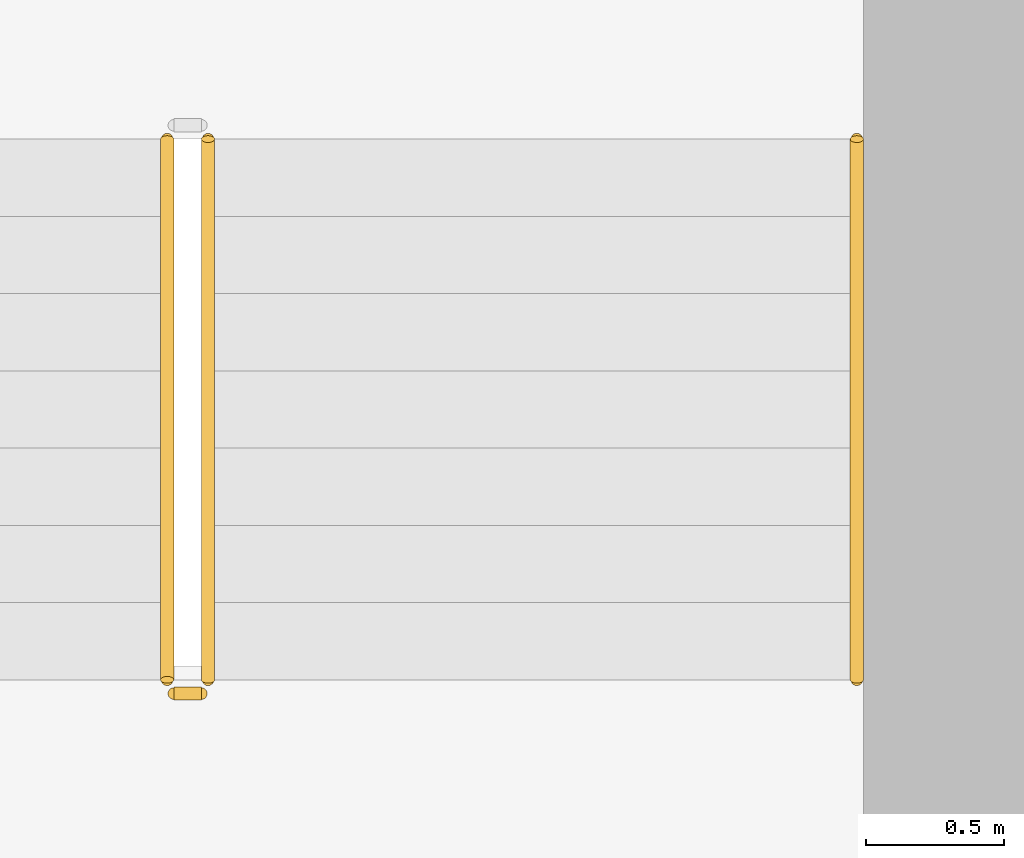
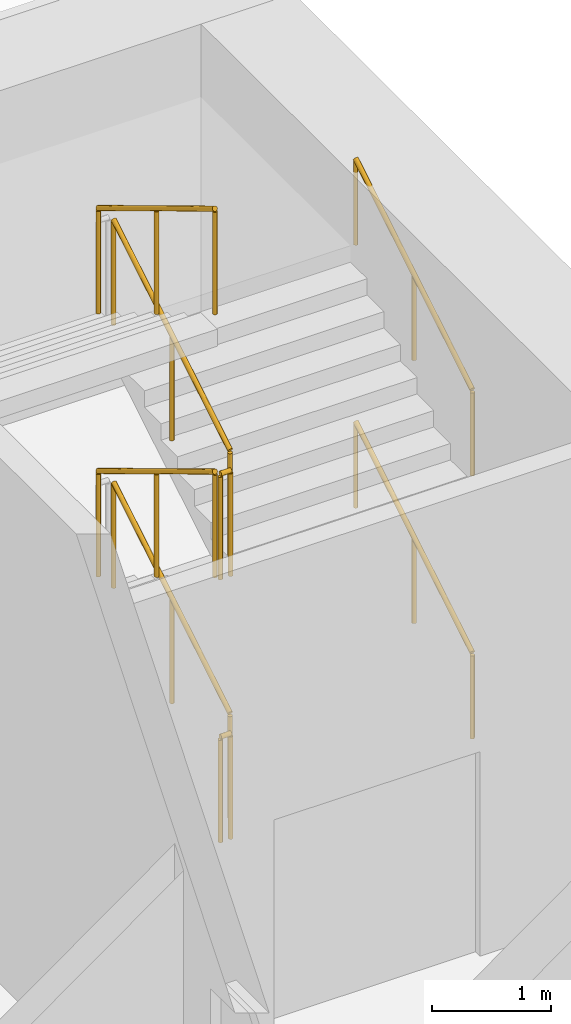
# One storey, part 97 of 101: 8 railings.
"""IFC4 building model written with IfcOpenShell, lengths in metres."""

from ifc_helpers import new_model, si_unit, direction, frame, origin, origin_2d, place, context, subcontext, project, spatial, circle, extrude, material, type_object, element, save


model = new_model("IFC4")

# Units and contexts
model_context = context("Model", 3, precision=1e-05, world=origin(), true_north=direction((0.0, 1.0)))
body_context = subcontext(model_context, "Body", "Model", "MODEL_VIEW")
ifc_project = project(units=[si_unit("LENGTHUNIT", "METRE"), si_unit("AREAUNIT", "SQUARE_METRE"), si_unit("VOLUMEUNIT", "CUBIC_METRE"), si_unit("PLANEANGLEUNIT", "RADIAN"), si_unit("MASSUNIT", "GRAM", prefix="KILO")], contexts=[model_context])

# Site, building, storey
site_placement = place(None, origin())
site = spatial("IfcSite", under=ifc_project, at=site_placement, CompositionType="ELEMENT")
building_placement = place(site_placement, origin())
building = spatial("IfcBuilding", under=site, at=building_placement, Name="Magnolia Steps Interchange", CompositionType="ELEMENT")
storey_placement = place(building_placement, frame((0.0, 0.0, -5.39990234375)))
storey = spatial("IfcBuildingStorey", under=building, at=storey_placement, Name="B1", CompositionType="ELEMENT", Elevation=-5.39990234375)

# Railings
ifc_material_1 = material(Name="Stainless steel grade 304", Category="steel")
railing_type_1 = type_object("IfcRailingType", Name="Stair guard 1100", PredefinedType="GUARDRAIL", material=ifc_material_1)
railing_1_placement = place(storey_placement, frame((180.049072265625, 69.875, 0.168701171875)))
element("IfcRailing", 1, at=railing_1_placement, inside=storey, type_object=railing_type_1, Name="B1 ST16 stair guard 1", PredefinedType="GUARDRAIL", context=body_context, shape_type="SweptSolid", body=[
    extrude(circle(Radius=0.02392578125, at=origin_2d()), frame((0.0, 0.0, 1.076171875), z_axis=(0.0, 0.856493463811, 0.516157869696), x_axis=(-1.0, 0.0, 0.0)), (0.0, 0.0, 1.0), 2.288330078125),
    extrude(circle(Radius=0.02099609375, at=origin_2d()), origin(), (0.0, 0.0, 1.0), 1.052001953125),
    extrude(circle(Radius=0.02099609375, at=origin_2d()), frame((0.0, 0.97998046875, 0.590576171875)), (0.0, 0.0, 1.0), 1.052001953125),
    extrude(circle(Radius=0.02099609375, at=origin_2d()), frame((0.0, 1.9599609375, 1.18115234375)), (0.0, 0.0, 1.0), 1.052001953125),
])
railing_2_placement = place(storey_placement, frame((179.90087890625, 71.8349609375, 1.5185546875)))
element("IfcRailing", 2, at=railing_2_placement, inside=storey, type_object=railing_type_1, Name="B1 ST16 stair guard 3", PredefinedType="GUARDRAIL", context=body_context, shape_type="SweptSolid", body=[
    extrude(circle(Radius=0.02392578125, at=origin_2d()), frame((0.0, 0.0, 1.076171875), z_axis=(0.0, -0.856446297458, 0.516236127728), x_axis=(1.0, 0.0, 0.0)), (0.0, 0.0, 1.0), 2.28857421875),
    extrude(circle(Radius=0.02099609375, at=origin_2d()), origin(), (0.0, 0.0, 1.0), 1.052001953125),
    extrude(circle(Radius=0.02099609375, at=origin_2d()), frame((0.0, -0.97998046875, 0.5908203125)), (0.0, 0.0, 1.0), 1.052001953125),
    extrude(circle(Radius=0.02099609375, at=origin_2d()), frame((0.0, -1.9599609375, 1.181396484375)), (0.0, 0.0, 1.0), 1.052001953125),
])
railing_3_placement = place(storey_placement, frame((180.02490234375, 69.824951171875, 2.699951171875)))
element("IfcRailing", 3, at=railing_3_placement, inside=storey, type_object=railing_type_1, Name="B1 ST16 stair guard 4", PredefinedType="GUARDRAIL", context=body_context, shape_type="SweptSolid", body=[
    extrude(circle(Radius=0.02392578125, at=origin_2d()), frame((0.0, 0.0, 1.076171875), z_axis=(-1.0, 0.0, 0.0), x_axis=(0.0, -1.0, 0.0)), (0.0, 0.0, 1.0), 0.099853515625),
    extrude(circle(Radius=0.02099609375, at=origin_2d()), origin(), (0.0, 0.0, 1.0), 1.052001953125),
    extrude(circle(Radius=0.02099609375, at=origin_2d()), frame((-0.099853515625, 0.0, 0.0)), (0.0, 0.0, 1.0), 1.052001953125),
])
railing_4_placement = place(storey_placement, frame((180.049072265625, 69.875, 2.86865234375)))
element("IfcRailing", 4, at=railing_4_placement, inside=storey, type_object=railing_type_1, Name="B1 ST16 stair guard 5", PredefinedType="GUARDRAIL", context=body_context, shape_type="SweptSolid", body=[
    extrude(circle(Radius=0.02392578125, at=origin_2d()), frame((0.0, 0.0, 1.076171875), z_axis=(0.0, 0.856493463811, 0.516157869696), x_axis=(-1.0, 0.0, 0.0)), (0.0, 0.0, 1.0), 2.288330078125),
    extrude(circle(Radius=0.02099609375, at=origin_2d()), origin(), (0.0, 0.0, 1.0), 1.052001953125),
    extrude(circle(Radius=0.02099609375, at=origin_2d()), frame((0.0, 0.97998046875, 0.590576171875)), (0.0, 0.0, 1.0), 1.052001953125),
    extrude(circle(Radius=0.02099609375, at=origin_2d()), frame((0.0, 1.9599609375, 1.18115234375)), (0.0, 0.0, 1.0), 1.052001953125),
])
railing_5_placement = place(storey_placement, frame((179.90087890625, 71.8349609375, 4.21875)))
element("IfcRailing", 5, at=railing_5_placement, inside=storey, type_object=railing_type_1, Name="B1 ST16 stair guard 7", PredefinedType="GUARDRAIL", context=body_context, shape_type="SweptSolid", body=[
    extrude(circle(Radius=0.02392578125, at=origin_2d()), frame((0.0, 0.0, 1.076171875), z_axis=(0.0, -0.856493463811, 0.516157869696), x_axis=(1.0, 0.0, 0.0)), (0.0, 0.0, 1.0), 2.288330078125),
    extrude(circle(Radius=0.02099609375, at=origin_2d()), origin(), (0.0, 0.0, 1.0), 1.052001953125),
    extrude(circle(Radius=0.02099609375, at=origin_2d()), frame((0.0, -0.97998046875, 0.590576171875)), (0.0, 0.0, 1.0), 1.052001953125),
    extrude(circle(Radius=0.02099609375, at=origin_2d()), frame((0.0, -1.9599609375, 1.18115234375)), (0.0, 0.0, 1.0), 1.052001953125),
])
railing_6_placement = place(storey_placement, frame((180.02490234375, 69.824951171875, 0.0)))
element("IfcRailing", 6, at=railing_6_placement, inside=storey, type_object=railing_type_1, Name="B1 ST16 stair guard 8", PredefinedType="GUARDRAIL", context=body_context, shape_type="SweptSolid", body=[
    extrude(circle(Radius=0.02392578125, at=origin_2d()), frame((0.0, 0.0, 1.076171875), z_axis=(-1.0, 0.0, 0.0), x_axis=(0.0, -1.0, 0.0)), (0.0, 0.0, 1.0), 0.099853515625),
    extrude(circle(Radius=0.02099609375, at=origin_2d()), origin(), (0.0, 0.0, 1.0), 1.052001953125),
    extrude(circle(Radius=0.02099609375, at=origin_2d()), frame((-0.099853515625, 0.0, 0.0)), (0.0, 0.0, 1.0), 1.052001953125),
])
ifc_material_2 = material(Name="Stainless steel grade 304", Category="steel")
railing_type_2 = type_object("IfcRailingType", Name="Stair handrail 900", PredefinedType="HANDRAIL", material=ifc_material_2)
for number, where, name in (
    (7, (182.40087890625, 69.875, 0.168701171875), "B1 ST16 stair handrail 1"),
    (8, (182.40087890625, 69.875, 2.86865234375), "B1 ST16 stair handrail 3"),
):
    element("IfcRailing", number, at=place(storey_placement, frame(where)), inside=storey, type_object=railing_type_2, Name=name, PredefinedType="HANDRAIL", context=body_context, shape_type="SweptSolid", body=[
        extrude(circle(Radius=0.02392578125, at=origin_2d()), frame((0.0, 0.0, 0.8759765625), z_axis=(0.0, 0.856493463811, 0.516157869696), x_axis=(-1.0, 0.0, 0.0)), (0.0, 0.0, 1.0), 2.288330078125),
        extrude(circle(Radius=0.02099609375, at=origin_2d()), origin(), (0.0, 0.0, 1.0), 0.851806640625),
        extrude(circle(Radius=0.02099609375, at=origin_2d()), frame((0.0, 0.97998046875, 0.590576171875)), (0.0, 0.0, 1.0), 0.851806640625),
        extrude(circle(Radius=0.02099609375, at=origin_2d()), frame((0.0, 1.9599609375, 1.18115234375)), (0.0, 0.0, 1.0), 0.851806640625),
    ])

save(model, "model.ifc")
